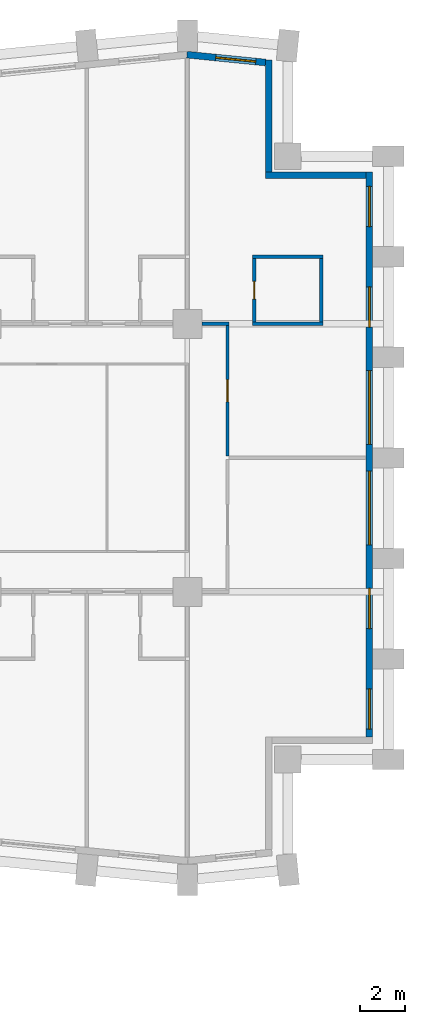
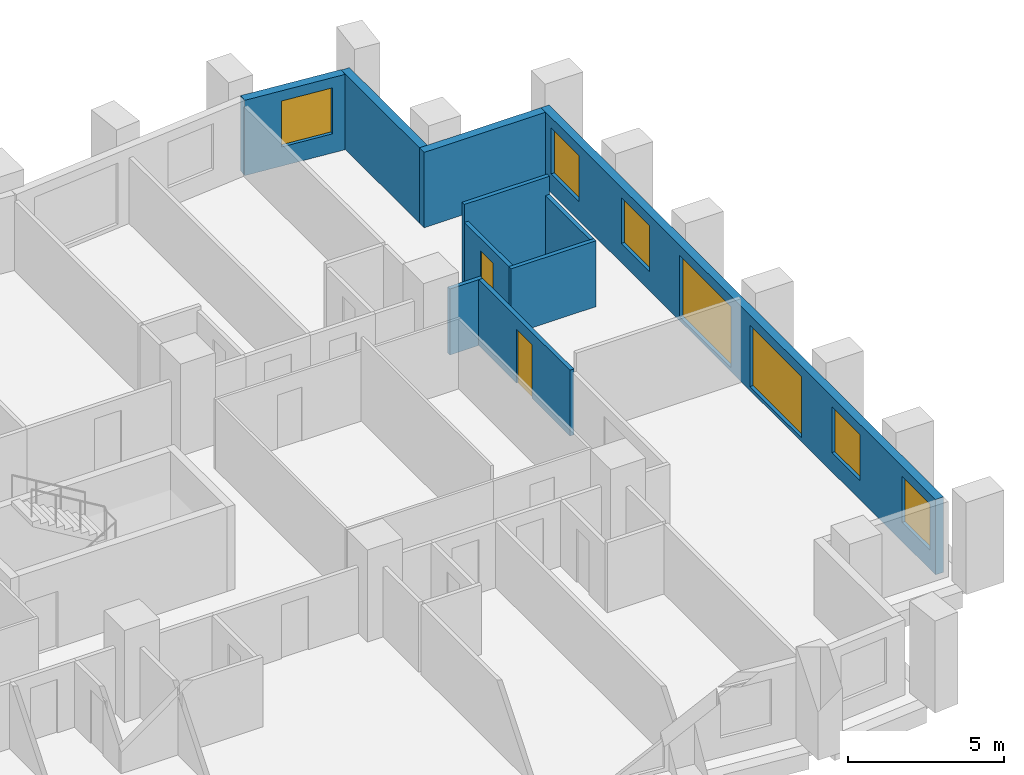
# One storey, part 10 of 13: 10 walls, 7 windows, 2 doors, 9 openings.
"""IFC4 building model written with IfcOpenShell, lengths in metres."""

from ifc_helpers import new_model, si_unit, direction, frame, frame_2d, origin, place, context, subcontext, project, spatial, rectangle, extrude, material, layer, layer_set, type_object, element, fill, save


model = new_model("IFC4")

# Units and contexts
model_context = context("Model", 3, precision=1e-05, world=origin(), true_north=direction((0.0, 1.0)))
body_context = subcontext(model_context, "Body", "Model", "MODEL_VIEW")
ifc_project = project(units=[si_unit("LENGTHUNIT", "METRE"), si_unit("AREAUNIT", "SQUARE_METRE"), si_unit("VOLUMEUNIT", "CUBIC_METRE"), si_unit("PLANEANGLEUNIT", "RADIAN"), si_unit("MASSUNIT", "GRAM", prefix="KILO")], contexts=[model_context])

# Site, building, storey
site_placement = place(None, origin())
site = spatial("IfcSite", under=ifc_project, at=site_placement, CompositionType="ELEMENT")
building_placement = place(site_placement, origin())
building = spatial("IfcBuilding", under=site, at=building_placement, Name="Brondeck Convention Tower", CompositionType="ELEMENT")
storey_placement = place(building_placement, frame((0.0, 0.0, 73.5)))
storey = spatial("IfcBuildingStorey", under=building, at=storey_placement, Name="L16", CompositionType="ELEMENT", Elevation=73.5)

# Wall, openings, windows
ifc_material_1 = material(Name="Precast concrete C50/60 bronze finish", Category="concrete")
ifc_layer_1 = layer(ifc_material_1, 0.070068359375, Name="Bronze precast facing")
ifc_material_2 = material(Name="Mineral wool")
ifc_layer_2 = layer(ifc_material_2, 0.159912109375, Name="Insulation")
ifc_material_3 = material(Name="Concrete C35/45", Category="concrete")
ifc_layer_3 = layer(ifc_material_3, 0.070068359375, Name="Backing")
ifc_layer_set_1 = layer_set([ifc_layer_1, ifc_layer_2, ifc_layer_3], Name="External infill wall, precast concrete C50/60 bronze facing")
wall_type_1 = type_object("IfcWallType", Name="External infill wall, precast concrete C50/60 bronze facing", PredefinedType="SOLIDWALL", material=ifc_layer_set_1)
wall_1_placement = place(storey_placement, frame((71.14990234375, 57.800048828125, 0.0), z_axis=(0.0, 0.0, 1.0), x_axis=(0.0, -1.0, 0.0)))
wall_1 = element("IfcWall", 1, at=wall_1_placement, inside=storey, type_object=wall_type_1, Name="ENV-EW-L16-P0-A-E72-01", PredefinedType="SOLIDWALL", context=body_context, shape_type="SweptSolid", body=[
    extrude(rectangle(XDim=25.302001953125, YDim=0.300048828125, at=frame_2d((12.65087890625, 0.0))), origin(), (0.0, 0.0, 1.0), 2.949951171875),
])
opening_1_placement = place(wall_1_placement, frame((0.64990234375, 0.0, 0.75)))
opening_1 = element("IfcOpeningElement", 2, at=opening_1_placement, cuts=wall_1, Name="Opening W10", PredefinedType="OPENING", context=body_context, shape_type="SweptSolid", body=[
    extrude(rectangle(XDim=1.800048828125, YDim=1.800048828125, at=frame_2d((0.89990234375, 0.89990234375))), frame((0.0, 0.159912109375, 0.0), z_axis=(0.0, -1.0, 0.0), x_axis=(1.0, 0.0, 0.0)), (0.0, 0.0, 1.0), 0.320068359375),
])
opening_2_placement = place(wall_1_placement, frame((5.14990234375, 0.0, 0.75)))
opening_2 = element("IfcOpeningElement", 3, at=opening_2_placement, cuts=wall_1, Name="Opening W10", PredefinedType="OPENING", context=body_context, shape_type="SweptSolid", body=[
    extrude(rectangle(XDim=1.800048828125, YDim=1.800048828125, at=frame_2d((0.89990234375, 0.89990234375))), frame((0.0, 0.159912109375, 0.0), z_axis=(0.0, -1.0, 0.0), x_axis=(1.0, 0.0, 0.0)), (0.0, 0.0, 1.0), 0.320068359375),
])
opening_3_placement = place(wall_1_placement, frame((8.89990234375, 0.0, 0.14990234375)))
opening_3 = element("IfcOpeningElement", 4, at=opening_3_placement, cuts=wall_1, Name="Opening W9", PredefinedType="OPENING", context=body_context, shape_type="SweptSolid", body=[
    extrude(rectangle(XDim=3.300048828125, YDim=2.39990234375, at=frame_2d((1.64990234375, 1.199951171875))), frame((0.0, 0.159912109375, 0.0), z_axis=(0.0, -1.0, 0.0), x_axis=(1.0, 0.0, 0.0)), (0.0, 0.0, 1.0), 0.320068359375),
])
opening_4_placement = place(wall_1_placement, frame((13.39990234375, 0.0, 0.14990234375)))
opening_4 = element("IfcOpeningElement", 5, at=opening_4_placement, cuts=wall_1, Name="Opening W9", PredefinedType="OPENING", context=body_context, shape_type="SweptSolid", body=[
    extrude(rectangle(XDim=3.300048828125, YDim=2.39990234375, at=frame_2d((1.64990234375, 1.199951171875))), frame((0.0, 0.159912109375, 0.0), z_axis=(0.0, -1.0, 0.0), x_axis=(1.0, 0.0, 0.0)), (0.0, 0.0, 1.0), 0.320068359375),
])
opening_5_placement = place(wall_1_placement, frame((18.64990234375, 0.0, 0.75)))
opening_5 = element("IfcOpeningElement", 6, at=opening_5_placement, cuts=wall_1, Name="Opening W10", PredefinedType="OPENING", context=body_context, shape_type="SweptSolid", body=[
    extrude(rectangle(XDim=1.800048828125, YDim=1.800048828125, at=frame_2d((0.89990234375, 0.89990234375))), frame((0.0, 0.159912109375, 0.0), z_axis=(0.0, -1.0, 0.0), x_axis=(1.0, 0.0, 0.0)), (0.0, 0.0, 1.0), 0.320068359375),
])
opening_6_placement = place(wall_1_placement, frame((23.14990234375, 0.0, 0.75)))
opening_6 = element("IfcOpeningElement", 7, at=opening_6_placement, cuts=wall_1, Name="Opening W10", PredefinedType="OPENING", context=body_context, shape_type="SweptSolid", body=[
    extrude(rectangle(XDim=1.800048828125, YDim=1.800048828125, at=frame_2d((0.89990234375, 0.89990234375))), frame((0.0, 0.159912109375, 0.0), z_axis=(0.0, -1.0, 0.0), x_axis=(1.0, 0.0, 0.0)), (0.0, 0.0, 1.0), 0.320068359375),
])
ifc_material_4 = material(Name="Bronze tinted double glazing", Category="glass")
window_type_1 = type_object("IfcWindowType", Name="Glazed flute window, bronze tinted", PartitioningType="SINGLE_PANEL", PredefinedType="WINDOW", material=ifc_material_4)
window_1_placement = place(opening_3_placement, origin())
window_1 = element("IfcWindow", 8, at=window_1_placement, inside=storey, type_object=window_type_1, Name="ENV-WN-L16-P0-A-E72-04", OverallHeight=2.39990234375, OverallWidth=3.300048828125, PartitioningType="SINGLE_PANEL", PredefinedType="WINDOW", context=body_context, shape_type="SweptSolid", body=[
    extrude(rectangle(XDim=3.300048828125, YDim=2.39990234375, at=frame_2d((1.64990234375, 1.199951171875))), frame((0.0, 0.030029296875, 0.0), z_axis=(0.0, -1.0, 0.0), x_axis=(1.0, 0.0, 0.0)), (0.0, 0.0, 1.0), 0.06005859375),
])
fill(opening_3, window_1)
window_2_placement = place(opening_4_placement, origin())
window_2 = element("IfcWindow", 9, at=window_2_placement, inside=storey, type_object=window_type_1, Name="ENV-WN-L16-P0-A-E72-03", OverallHeight=2.39990234375, OverallWidth=3.300048828125, PartitioningType="SINGLE_PANEL", PredefinedType="WINDOW", context=body_context, shape_type="SweptSolid", body=[
    extrude(rectangle(XDim=3.300048828125, YDim=2.39990234375, at=frame_2d((1.64990234375, 1.199951171875))), frame((0.0, 0.030029296875, 0.0), z_axis=(0.0, -1.0, 0.0), x_axis=(1.0, 0.0, 0.0)), (0.0, 0.0, 1.0), 0.06005859375),
])
fill(opening_4, window_2)
window_type_2 = type_object("IfcWindowType", Name="Punched window, bronze tinted", PartitioningType="SINGLE_PANEL", PredefinedType="WINDOW", material=ifc_material_4)
window_3_placement = place(opening_1_placement, origin())
window_3 = element("IfcWindow", 10, at=window_3_placement, inside=storey, type_object=window_type_2, Name="ENV-WN-L16-P0-A-E72-06", OverallHeight=1.800048828125, OverallWidth=1.800048828125, PartitioningType="SINGLE_PANEL", PredefinedType="WINDOW", context=body_context, shape_type="SweptSolid", body=[
    extrude(rectangle(XDim=1.800048828125, YDim=1.800048828125, at=frame_2d((0.89990234375, 0.89990234375))), frame((0.0, 0.030029296875, 0.0), z_axis=(0.0, -1.0, 0.0), x_axis=(1.0, 0.0, 0.0)), (0.0, 0.0, 1.0), 0.06005859375),
])
fill(opening_1, window_3)
window_4_placement = place(opening_2_placement, origin())
window_4 = element("IfcWindow", 11, at=window_4_placement, inside=storey, type_object=window_type_2, Name="ENV-WN-L16-P0-A-E72-05", OverallHeight=1.800048828125, OverallWidth=1.800048828125, PartitioningType="SINGLE_PANEL", PredefinedType="WINDOW", context=body_context, shape_type="SweptSolid", body=[
    extrude(rectangle(XDim=1.800048828125, YDim=1.800048828125, at=frame_2d((0.89990234375, 0.89990234375))), frame((0.0, 0.030029296875, 0.0), z_axis=(0.0, -1.0, 0.0), x_axis=(1.0, 0.0, 0.0)), (0.0, 0.0, 1.0), 0.06005859375),
])
fill(opening_2, window_4)
window_5_placement = place(opening_5_placement, origin())
window_5 = element("IfcWindow", 12, at=window_5_placement, inside=storey, type_object=window_type_2, Name="ENV-WN-L16-P0-A-E72-02", OverallHeight=1.800048828125, OverallWidth=1.800048828125, PartitioningType="SINGLE_PANEL", PredefinedType="WINDOW", context=body_context, shape_type="SweptSolid", body=[
    extrude(rectangle(XDim=1.800048828125, YDim=1.800048828125, at=frame_2d((0.89990234375, 0.89990234375))), frame((0.0, 0.030029296875, 0.0), z_axis=(0.0, -1.0, 0.0), x_axis=(1.0, 0.0, 0.0)), (0.0, 0.0, 1.0), 0.06005859375),
])
fill(opening_5, window_5)
window_6_placement = place(opening_6_placement, origin())
window_6 = element("IfcWindow", 13, at=window_6_placement, inside=storey, type_object=window_type_2, Name="ENV-WN-L16-P0-A-E72-01", OverallHeight=1.800048828125, OverallWidth=1.800048828125, PartitioningType="SINGLE_PANEL", PredefinedType="WINDOW", context=body_context, shape_type="SweptSolid", body=[
    extrude(rectangle(XDim=1.800048828125, YDim=1.800048828125, at=frame_2d((0.89990234375, 0.89990234375))), frame((0.0, 0.030029296875, 0.0), z_axis=(0.0, -1.0, 0.0), x_axis=(1.0, 0.0, 0.0)), (0.0, 0.0, 1.0), 0.06005859375),
])
fill(opening_6, window_6)

# Walls
wall_2_placement = place(storey_placement, frame((66.5, 57.64990234375, 0.0), z_axis=(0.0, 0.0, 1.0), x_axis=(1.0, 0.0, 0.0)))
element("IfcWall", 14, at=wall_2_placement, inside=storey, type_object=wall_type_1, Name="ENV-EW-L16-P0-NC-NEA72-01", PredefinedType="SOLIDWALL", context=body_context, shape_type="SweptSolid", body=[
    extrude(rectangle(XDim=4.5, YDim=0.300048828125, at=frame_2d((2.25, 0.0))), origin(), (0.0, 0.0, 1.0), 2.949951171875),
])
wall_3_placement = place(storey_placement, frame((66.64990234375, 62.81640625, 0.0), z_axis=(0.0, 0.0, 1.0), x_axis=(0.0, -1.0, 0.0)))
element("IfcWall", 15, at=wall_3_placement, inside=storey, type_object=wall_type_1, Name="ENV-EW-L16-P0-NC-NEA72-02", PredefinedType="SOLIDWALL", context=body_context, shape_type="SweptSolid", body=[
    extrude(rectangle(XDim=5.018310546875, YDim=0.300048828125, at=frame_2d((2.50927734375, 0.0))), origin(), (0.0, 0.0, 1.0), 2.949951171875),
])

# Wall, opening, window
wall_4_placement = place(storey_placement, frame((62.985107421875, 63.04736328125, 0.0), z_axis=(0.0, 0.0, 1.0), x_axis=(0.995031712439, -0.099558481511, 0.0)))
wall_4 = element("IfcWall", 16, at=wall_4_placement, inside=storey, type_object=wall_type_1, Name="ENV-EW-L16-P0-A-N-14", PredefinedType="SOLIDWALL", context=body_context, shape_type="SweptSolid", body=[
    extrude(rectangle(XDim=3.53125, YDim=0.300048828125, at=frame_2d((1.765625, 0.0))), origin(), (0.0, 0.0, 1.0), 2.949951171875),
])
opening_7_placement = place(wall_4_placement, frame((1.291259765625, 0.0, 0.75)))
opening_7 = element("IfcOpeningElement", 17, at=opening_7_placement, cuts=wall_4, Name="Opening W10", PredefinedType="OPENING", context=body_context, shape_type="SweptSolid", body=[
    extrude(rectangle(XDim=1.800048828125, YDim=1.800048828125, at=frame_2d((0.89990234375, 0.89990234375))), frame((0.0, 0.159912109375, 0.0), z_axis=(0.0, -1.0, 0.0), x_axis=(1.0, 0.0, 0.0)), (0.0, 0.0, 1.0), 0.320068359375),
])
window_7_placement = place(opening_7_placement, origin())
window_7 = element("IfcWindow", 18, at=window_7_placement, inside=storey, type_object=window_type_2, Name="ENV-WN-L16-P0-A-N-14", OverallHeight=1.800048828125, OverallWidth=1.800048828125, PartitioningType="SINGLE_PANEL", PredefinedType="WINDOW", context=body_context, shape_type="SweptSolid", body=[
    extrude(rectangle(XDim=1.800048828125, YDim=1.800048828125, at=frame_2d((0.89990234375, 0.89990234375))), frame((0.0, 0.030029296875, 0.0), z_axis=(0.0, -1.0, 0.0), x_axis=(1.0, 0.0, 0.0)), (0.0, 0.0, 1.0), 0.06005859375),
])
fill(opening_7, window_7)

# Wall, opening, door
ifc_material_5 = material(Name="Double gypsum board acoustic wall")
ifc_layer_4 = layer(ifc_material_5, 0.14990234375)
ifc_layer_set_2 = layer_set([ifc_layer_4], Name="Guest room party wall 150")
wall_type_2 = type_object("IfcWallType", Name="Guest room party wall 150", PredefinedType="PARTITIONING", material=ifc_layer_set_2)
wall_5_placement = place(storey_placement, frame((64.800048828125, 50.925048828125, 0.0), z_axis=(0.0, 0.0, 1.0), x_axis=(0.0, -1.0, 0.0)))
wall_5 = element("IfcWall", 19, at=wall_5_placement, inside=storey, type_object=wall_type_2, Name="FLR-L16-W094", PredefinedType="PARTITIONING", context=body_context, shape_type="SweptSolid", body=[
    extrude(rectangle(XDim=5.85009765625, YDim=0.14990234375, at=frame_2d((2.925048828125, 0.0))), origin(), (0.0, 0.0, 1.0), 2.580078125),
])
opening_8_placement = place(wall_5_placement, frame((2.425048828125, 0.0, 0.0)))
opening_8 = element("IfcOpeningElement", 20, at=opening_8_placement, cuts=wall_5, Name="Opening H4-020", PredefinedType="OPENING", context=body_context, shape_type="SweptSolid", body=[
    extrude(rectangle(XDim=1.0, YDim=2.10009765625, at=frame_2d((0.5, 1.050048828125))), frame((0.0, 0.0849609375, 0.0), z_axis=(0.0, -1.0, 0.0), x_axis=(1.0, 0.0, 0.0)), (0.0, 0.0, 1.0), 0.169921875),
])
ifc_material_6 = material(Name="Solid timber fire door leaf", Category="wood")
door_type_1 = type_object("IfcDoorType", Name="Guest room door 1000", OperationType="NOTDEFINED", PredefinedType="DOOR", material=ifc_material_6)
door_1_placement = place(opening_8_placement, origin())
door_1 = element("IfcDoor", 21, at=door_1_placement, inside=storey, type_object=door_type_1, Name="Door H4-020", OperationType="SINGLE_SWING_LEFT", OverallHeight=2.10009765625, OverallWidth=1.0, PredefinedType="DOOR", context=body_context, shape_type="SweptSolid", body=[
    extrude(rectangle(XDim=1.0, YDim=2.10009765625, at=frame_2d((0.5, 1.050048828125))), frame((0.0, 0.02490234375, 0.0), z_axis=(0.0, -1.0, 0.0), x_axis=(1.0, 0.0, 0.0)), (0.0, 0.0, 1.0), 0.050048828125),
])
fill(opening_8, door_1)

# Walls
wall_6_placement = place(storey_placement, frame((63.655029296875, 51.0, 0.0), z_axis=(0.0, 0.0, 1.0), x_axis=(1.0, 0.0, 0.0)))
element("IfcWall", 22, at=wall_6_placement, inside=storey, type_object=wall_type_2, Name="FLR-L16-W105", PredefinedType="PARTITIONING", context=body_context, shape_type="SweptSolid", body=[
    extrude(rectangle(XDim=1.219970703125, YDim=0.14990234375, at=frame_2d((0.60986328125, 0.0))), origin(), (0.0, 0.0, 1.0), 2.580078125),
])
wall_7_placement = place(storey_placement, frame((65.925048828125, 51.0, 0.0), z_axis=(0.0, 0.0, 1.0), x_axis=(1.0, 0.0, 0.0)))
element("IfcWall", 23, at=wall_7_placement, inside=storey, type_object=wall_type_2, Name="FLR-L16-W106", PredefinedType="PARTITIONING", context=body_context, shape_type="SweptSolid", body=[
    extrude(rectangle(XDim=3.14990234375, YDim=0.14990234375, at=frame_2d((1.574951171875, 0.0))), origin(), (0.0, 0.0, 1.0), 2.580078125),
])
wall_8_placement = place(storey_placement, frame((69.0, 51.074951171875, 0.0), z_axis=(0.0, 0.0, 1.0), x_axis=(0.0, 1.0, 0.0)))
element("IfcWall", 24, at=wall_8_placement, inside=storey, type_object=wall_type_2, Name="FLR-L16-W110", PredefinedType="PARTITIONING", context=body_context, shape_type="SweptSolid", body=[
    extrude(rectangle(XDim=2.85009765625, YDim=0.14990234375, at=frame_2d((1.425048828125, 0.0))), origin(), (0.0, 0.0, 1.0), 2.580078125),
])

# Wall, opening, door
wall_9_placement = place(storey_placement, frame((66.0, 53.925048828125, 0.0), z_axis=(0.0, 0.0, 1.0), x_axis=(0.0, -1.0, 0.0)))
wall_9 = element("IfcWall", 25, at=wall_9_placement, inside=storey, type_object=wall_type_2, Name="FLR-L16-W118", PredefinedType="PARTITIONING", context=body_context, shape_type="SweptSolid", body=[
    extrude(rectangle(XDim=2.85009765625, YDim=0.14990234375, at=frame_2d((1.425048828125, 0.0))), origin(), (0.0, 0.0, 1.0), 2.580078125),
])
opening_9_placement = place(wall_9_placement, frame((1.02490234375, 0.0, 0.0)))
opening_9 = element("IfcOpeningElement", 26, at=opening_9_placement, cuts=wall_9, Name="Opening H4-021", PredefinedType="OPENING", context=body_context, shape_type="SweptSolid", body=[
    extrude(rectangle(XDim=0.800048828125, YDim=2.10009765625, at=frame_2d((0.39990234375, 1.050048828125))), frame((0.0, 0.0849609375, 0.0), z_axis=(0.0, -1.0, 0.0), x_axis=(1.0, 0.0, 0.0)), (0.0, 0.0, 1.0), 0.169921875),
])
ifc_material_7 = material(Name="Solid timber door leaf", Category="wood")
door_type_2 = type_object("IfcDoorType", Name="En-suite door 800", OperationType="NOTDEFINED", PredefinedType="DOOR", material=ifc_material_7)
door_2_placement = place(opening_9_placement, origin())
door_2 = element("IfcDoor", 27, at=door_2_placement, inside=storey, type_object=door_type_2, Name="Door H4-021", OperationType="SINGLE_SWING_RIGHT", OverallHeight=2.10009765625, OverallWidth=0.800048828125, PredefinedType="DOOR", context=body_context, shape_type="SweptSolid", body=[
    extrude(rectangle(XDim=0.800048828125, YDim=2.10009765625, at=frame_2d((0.39990234375, 1.050048828125))), frame((0.0, 0.02490234375, 0.0), z_axis=(0.0, -1.0, 0.0), x_axis=(1.0, 0.0, 0.0)), (0.0, 0.0, 1.0), 0.050048828125),
])
fill(opening_9, door_2)

# Wall
wall_10_placement = place(storey_placement, frame((69.074951171875, 54.0, 0.0), z_axis=(0.0, 0.0, 1.0), x_axis=(-1.0, 0.0, 0.0)))
element("IfcWall", 28, at=wall_10_placement, inside=storey, type_object=wall_type_2, Name="FLR-L16-W123", PredefinedType="PARTITIONING", context=body_context, shape_type="SweptSolid", body=[
    extrude(rectangle(XDim=3.14990234375, YDim=0.14990234375, at=frame_2d((1.574951171875, 0.0))), origin(), (0.0, 0.0, 1.0), 3.280029296875),
])

save(model, "model.ifc")
